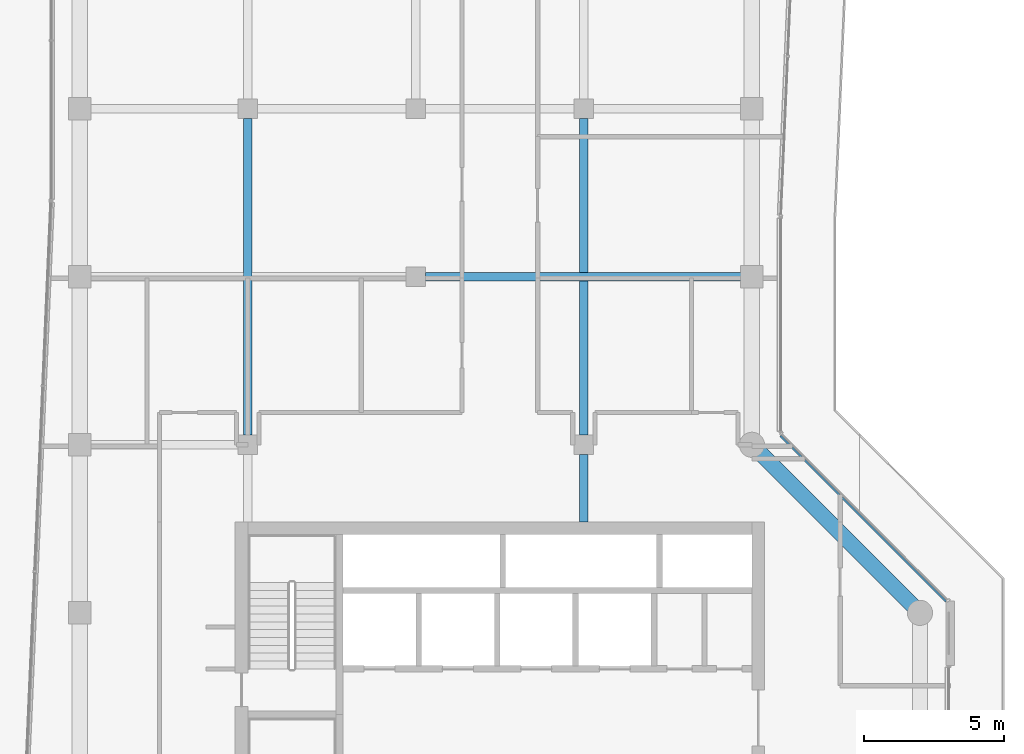
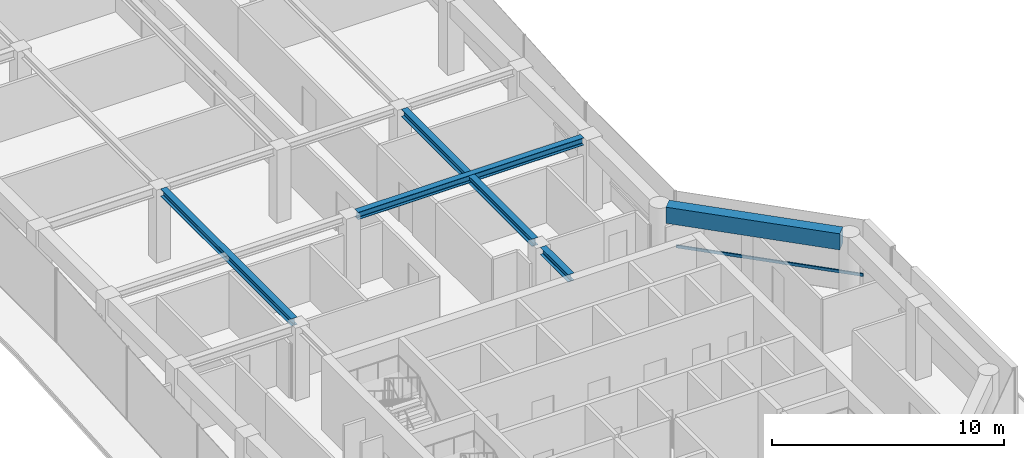
# One storey, part 5 of 20: 5 beams, 1 member, 1 element without a shape of its own.
"""IFC4 building model written with IfcOpenShell, lengths in metres."""

from ifc_helpers import new_model, si_unit, direction, frame, origin, origin_2d, place, context, subcontext, project, spatial, rectangle, i_section, extrude, material, layer, layer_set, material_profile, profile_set, type_object, element, aggregate, save


model = new_model("IFC4")

# Units and contexts
model_context = context("Model", 3, precision=1e-05, world=origin(), true_north=direction((0.0, 1.0)))
body_context = subcontext(model_context, "Body", "Model", "MODEL_VIEW")
ifc_project = project(units=[si_unit("LENGTHUNIT", "METRE"), si_unit("AREAUNIT", "SQUARE_METRE"), si_unit("VOLUMEUNIT", "CUBIC_METRE"), si_unit("PLANEANGLEUNIT", "RADIAN"), si_unit("MASSUNIT", "GRAM", prefix="KILO")], contexts=[model_context])

# Site, building, storey
site_placement = place(None, origin())
site = spatial("IfcSite", under=ifc_project, at=site_placement, CompositionType="ELEMENT")
building_placement = place(site_placement, origin())
building = spatial("IfcBuilding", under=site, at=building_placement, Name="Welwitschia Terrace Campus", CompositionType="ELEMENT")
storey_placement = place(building_placement, frame((0.0, 0.0, 239.0)))
storey = spatial("IfcBuildingStorey", under=building, at=storey_placement, Name="L53", CompositionType="ELEMENT", Elevation=239.0)

# Beams
ifc_material_1 = material(Name="Steel S355", Category="steel")
ifc_material_profile_1 = material_profile(ifc_material_1, i_section(OverallWidth=0.300048828125, OverallDepth=0.389892578125, WebThickness=0.010986328125, FlangeThickness=0.01904296875, FilletRadius=0.027099609375, at=origin_2d()))
ifc_profile_set_1 = profile_set([ifc_material_profile_1], Name="Steel S355")
beam_type_1 = type_object("IfcBeamType", Name="Interior girder HE 400 A", PredefinedType="BEAM", material=ifc_profile_set_1)
beam_1_placement = place(storey_placement, frame((12.3505859375, 34.0, 3.655029296875), z_axis=(1.0, 0.0, 0.0), x_axis=(0.0, 1.0, 0.0)))
element("IfcBeam", 1, at=beam_1_placement, inside=storey, type_object=beam_type_1, Name="Girder GB5", PredefinedType="BEAM", context=body_context, shape_type="SweptSolid", body=[
    extrude(i_section(OverallWidth=0.300048828125, OverallDepth=0.389892578125, WebThickness=0.010986328125, FlangeThickness=0.01904296875, FilletRadius=0.027099609375, at=origin_2d()), origin(), (0.0, 0.0, 1.0), 11.259033203125),
])
beam_2_placement = place(storey_placement, frame((6.0, 28.3505859375, 3.655029296875), z_axis=(0.0, 1.0, 0.0), x_axis=(-1.0, 0.0, 0.0)))
element("IfcBeam", 2, at=beam_2_placement, inside=storey, type_object=beam_type_1, Name="Girder GB5", PredefinedType="BEAM", context=body_context, shape_type="SweptSolid", body=[
    extrude(i_section(OverallWidth=0.300048828125, OverallDepth=0.389892578125, WebThickness=0.010986328125, FlangeThickness=0.01904296875, FilletRadius=0.027099609375, at=origin_2d()), origin(), (0.0, 0.0, 1.0), 11.298828125),
])
beam_3_placement = place(storey_placement, frame((18.0, 25.2509765625, 3.655029296875), z_axis=(0.0, 1.0, 0.0), x_axis=(-1.0, 0.0, 0.0)))
element("IfcBeam", 3, at=beam_3_placement, inside=storey, type_object=beam_type_1, Name="Girder GB5", PredefinedType="BEAM", context=body_context, shape_type="SweptSolid", body=[
    extrude(i_section(OverallWidth=0.300048828125, OverallDepth=0.389892578125, WebThickness=0.010986328125, FlangeThickness=0.01904296875, FilletRadius=0.027099609375, at=origin_2d()), origin(), (0.0, 0.0, 1.0), 2.3984375),
])
beam_4_placement = place(storey_placement, frame((18.0, 28.3505859375, 3.655029296875), z_axis=(0.0, 1.0, 0.0), x_axis=(-1.0, 0.0, 0.0)))
element("IfcBeam", 4, at=beam_4_placement, inside=storey, type_object=beam_type_1, Name="Girder GB5", PredefinedType="BEAM", context=body_context, shape_type="SweptSolid", body=[
    extrude(i_section(OverallWidth=0.300048828125, OverallDepth=0.389892578125, WebThickness=0.010986328125, FlangeThickness=0.01904296875, FilletRadius=0.027099609375, at=origin_2d()), origin(), (0.0, 0.0, 1.0), 11.298828125),
])
ifc_material_2 = material(Name="Concrete C50/60", Category="concrete")
ifc_material_profile_2 = material_profile(ifc_material_2, rectangle(XDim=0.550048828125, YDim=0.85009765625, at=origin_2d()))
ifc_profile_set_2 = profile_set([ifc_material_profile_2], Name="Concrete C50/60")
beam_type_2 = type_object("IfcBeamType", Name="Ring spandrel 550x850", PredefinedType="SPANDREL", material=ifc_profile_set_2)
beam_5_placement = place(storey_placement, frame((29.74755859375, 22.25244140625, 3.425048828125), z_axis=(-0.707106781187, 0.707106781187, 0.0), x_axis=(-0.707106781187, -0.707106781187, 0.0)))
element("IfcBeam", 5, at=beam_5_placement, inside=storey, type_object=beam_type_2, Name="Spandrel SP3", PredefinedType="SPANDREL", context=body_context, shape_type="SweptSolid", body=[
    extrude(rectangle(XDim=0.550048828125, YDim=0.85009765625, at=origin_2d()), origin(), (0.0, 0.0, 1.0), 7.771240234375),
])

# Curtain wall, member
ifc_material_3 = material(Name="Bronze anodised aluminium", Category="aluminium")
ifc_layer = layer(ifc_material_3, 0.1201171875)
ifc_layer_set = layer_set([ifc_layer], Name="Bronze anodised aluminium")
curtain_wall_type = type_object("IfcCurtainWallType", Name="Curtain wall CW2 tower 6000", PredefinedType="NOTDEFINED", material=ifc_layer_set)
curtain_wall_placement = place(storey_placement, origin())
curtain_wall = element("IfcCurtainWall", 6, at=curtain_wall_placement, inside=storey, type_object=curtain_wall_type, Name="CW L53.5.0", PredefinedType="NOTDEFINED")
ifc_material_4 = material(Name="Bronze anodised aluminium", Category="aluminium")
ifc_material_profile_3 = material_profile(ifc_material_4, rectangle(XDim=0.06005859375, YDim=0.14990234375, at=origin_2d()))
ifc_profile_set_3 = profile_set([ifc_material_profile_3], Name="Bronze anodised aluminium")
member_type = type_object("IfcMemberType", Name="Transom 60x150", PredefinedType="USERDEFINED", material=ifc_profile_set_3)
member_placement = place(storey_placement, frame((30.923828125, 22.405517578125, 1.0), z_axis=(-0.707106781187, 0.707106781187, 0.0), x_axis=(-0.707106781187, -0.707106781187, 0.0)))
member = element("IfcMember", 7, at=member_placement, type_object=member_type, Name="Transom L53.5.0", ObjectType="TRANSOM", PredefinedType="USERDEFINED", context=body_context, shape_type="SweptSolid", body=[
    extrude(rectangle(XDim=0.06005859375, YDim=0.14990234375, at=origin_2d()), origin(), (0.0, 0.0, 1.0), 8.365234375),
])
aggregate(curtain_wall, [member])

save(model, "model.ifc")
